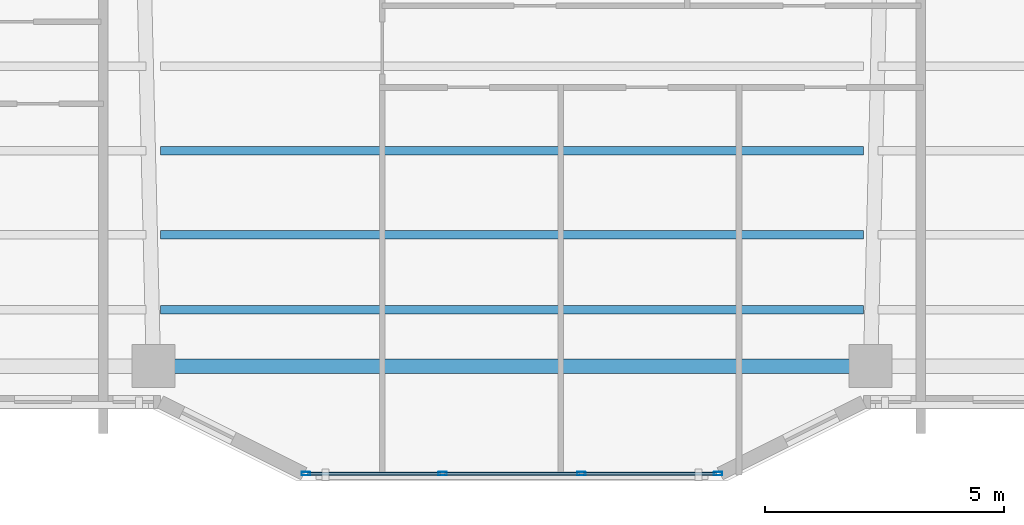
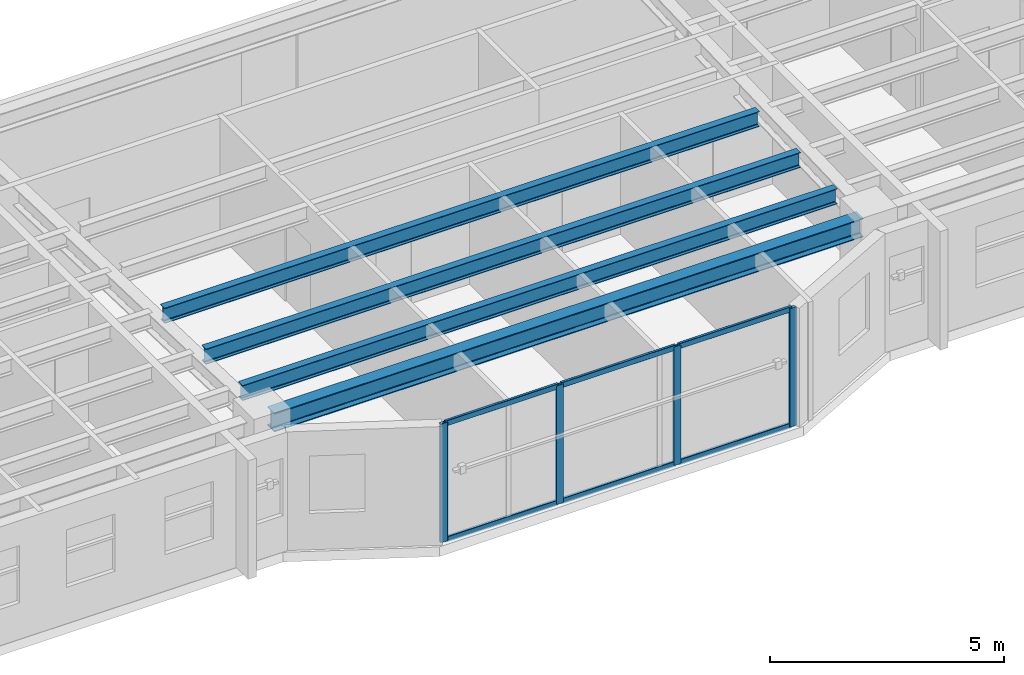
# One storey, part 2 of 16: 10 members, 4 beams, 1 element without a shape of its own.
"""IFC4 building model written with IfcOpenShell, lengths in metres."""

from ifc_helpers import new_model, si_unit, direction, frame, origin, origin_2d, place, context, subcontext, project, spatial, hollow_rectangle, i_section, extrude, material, layer, layer_set, material_profile, profile_set, type_object, element, aggregate, save


model = new_model("IFC4")

# Units and contexts
model_context = context("Model", 3, precision=1e-05, world=origin(), true_north=direction((0.0, 1.0)))
body_context = subcontext(model_context, "Body", "Model", "MODEL_VIEW")
ifc_project = project(units=[si_unit("LENGTHUNIT", "METRE"), si_unit("AREAUNIT", "SQUARE_METRE"), si_unit("VOLUMEUNIT", "CUBIC_METRE"), si_unit("PLANEANGLEUNIT", "RADIAN"), si_unit("MASSUNIT", "GRAM", prefix="KILO")], contexts=[model_context])

# Site, building, storey
site_placement = place(None, origin())
site = spatial("IfcSite", under=ifc_project, at=site_placement, CompositionType="ELEMENT")
building_placement = place(site_placement, origin())
building = spatial("IfcBuilding", under=site, at=building_placement, Name="Tarnavaz Court Tower", CompositionType="ELEMENT")
storey_placement = place(building_placement, frame((0.0, 0.0, 149.35009765625)))
storey = spatial("IfcBuildingStorey", under=building, at=storey_placement, Name="L40", CompositionType="ELEMENT", Elevation=149.35009765625)

# Beams
ifc_material_1 = material(Name="Steel S355", Category="steel")
ifc_material_profile_1 = material_profile(ifc_material_1, i_section(OverallWidth=0.179931640625, OverallDepth=0.39990234375, WebThickness=0.008544921875, FlangeThickness=0.013427734375, FilletRadius=0.02099609375, at=origin_2d()), Name="IPE 400")
ifc_profile_set_1 = profile_set([ifc_material_profile_1], Name="Steel S355")
beam_type_1 = type_object("IfcBeamType", Name="BM-J-IPE400", PredefinedType="JOIST", material=ifc_profile_set_1)
for number, where, z_axis, x_axis, name in (
    (1, (-7.35009765625, -15.89208984375, 2.89990234375), (1.0, 0.0, 0.0), (0.0, 1.0, 0.0), "L40 Beam JS3-2"),
    (2, (-7.35009765625, -17.656005859375, 2.89990234375), (1.0, 0.0, 0.0), (0.0, 1.0, 0.0), "L40 Beam JS4-2"),
    (3, (-7.35009765625, -19.22412109375, 2.89990234375), (1.0, 0.0, 0.0), (0.0, 1.0, 0.0), "L40 Beam JS5-2"),
):
    element("IfcBeam", number, at=place(storey_placement, frame(where, z_axis=z_axis, x_axis=x_axis)), inside=storey, type_object=beam_type_1, Name=name, PredefinedType="JOIST", context=body_context, shape_type="SweptSolid", body=[
        extrude(i_section(OverallWidth=0.179931640625, OverallDepth=0.39990234375, WebThickness=0.008544921875, FlangeThickness=0.013427734375, FilletRadius=0.02099609375, at=origin_2d()), origin(), (0.0, 0.0, 1.0), 14.7001953125),
    ])
ifc_material_profile_2 = material_profile(ifc_material_1, i_section(OverallWidth=0.300048828125, OverallDepth=0.489990234375, WebThickness=0.011962890625, FlangeThickness=0.02294921875, FilletRadius=0.027099609375, at=origin_2d()), Name="HEA 500")
ifc_profile_set_2 = profile_set([ifc_material_profile_2], Name="Steel S355")
beam_type_2 = type_object("IfcBeamType", Name="BM-SP-HEA500", PredefinedType="SPANDREL", material=ifc_profile_set_2)
beam_placement = place(storey_placement, frame((-7.280029296875, -20.39990234375, 2.85498046875), z_axis=(1.0, 0.0, 0.0), x_axis=(0.0, 1.0, 0.0)))
element("IfcBeam", 4, at=beam_placement, inside=storey, type_object=beam_type_2, Name="L40 Beam PR-PS-2-PS-3", PredefinedType="SPANDREL", context=body_context, shape_type="SweptSolid", body=[
    extrude(i_section(OverallWidth=0.300048828125, OverallDepth=0.489990234375, WebThickness=0.011962890625, FlangeThickness=0.02294921875, FilletRadius=0.027099609375, at=origin_2d()), origin(), (0.0, 0.0, 1.0), 14.56005859375),
])

# Curtain wall, members
ifc_material_2 = material(Name="Anodised Aluminium 6063-T6 and Solar Low-E Glazing", Category="aluminium")
ifc_layer = layer(ifc_material_2, 0.159912109375)
ifc_layer_set = layer_set([ifc_layer], Name="Anodised Aluminium 6063-T6 and Solar Low-E Glazing")
curtain_wall_type = type_object("IfcCurtainWallType", Name="CW-SYS-03", PredefinedType="NOTDEFINED", material=ifc_layer_set)
curtain_wall_placement = place(storey_placement, origin())
curtain_wall = element("IfcCurtainWall", 5, at=curtain_wall_placement, inside=storey, type_object=curtain_wall_type, Name="L40 Iwan Prow Curtain Wall 17", PredefinedType="NOTDEFINED")
ifc_material_3 = material(Name="Anodised Aluminium 6063-T6", Category="aluminium")
ifc_material_profile_3 = material_profile(ifc_material_3, hollow_rectangle(XDim=0.074951171875, YDim=0.179931640625, WallThickness=0.0048828125, InnerFilletRadius=0.0048828125, OuterFilletRadius=0.010009765625, at=origin_2d()), Name="ALU RHS 180X75X5")
ifc_profile_set_3 = profile_set([ifc_material_profile_3], Name="Anodised Aluminium 6063-T6")
member_type_1 = type_object("IfcMemberType", Name="CW-MUL-180", PredefinedType="MULLION", material=ifc_profile_set_3)
member_1_placement = place(storey_placement, frame((4.3125, -22.64990234375, 0.0), z_axis=(0.0, 0.0, 1.0), x_axis=(0.0, -1.0, 0.0)))
member_1 = element("IfcMember", 6, at=member_1_placement, type_object=member_type_1, Name="CW mullion 1", PredefinedType="MULLION", context=body_context, shape_type="SweptSolid", body=[
    extrude(hollow_rectangle(XDim=0.074951171875, YDim=0.179931640625, WallThickness=0.0048828125, InnerFilletRadius=0.0048828125, OuterFilletRadius=0.010009765625, at=origin_2d()), origin(), (0.0, 0.0, 1.0), 3.099853515625),
])
member_2_placement = place(storey_placement, frame((1.449951171875, -22.64990234375, 0.0), z_axis=(0.0, 0.0, 1.0), x_axis=(0.0, -1.0, 0.0)))
member_2 = element("IfcMember", 7, at=member_2_placement, type_object=member_type_1, Name="CW mullion 2", PredefinedType="MULLION", context=body_context, shape_type="SweptSolid", body=[
    extrude(hollow_rectangle(XDim=0.074951171875, YDim=0.179931640625, WallThickness=0.0048828125, InnerFilletRadius=0.0048828125, OuterFilletRadius=0.010009765625, at=origin_2d()), origin(), (0.0, 0.0, 1.0), 3.099853515625),
])
member_3_placement = place(storey_placement, frame((-1.449951171875, -22.64990234375, 0.0), z_axis=(0.0, 0.0, 1.0), x_axis=(0.0, -1.0, 0.0)))
member_3 = element("IfcMember", 8, at=member_3_placement, type_object=member_type_1, Name="CW mullion 3", PredefinedType="MULLION", context=body_context, shape_type="SweptSolid", body=[
    extrude(hollow_rectangle(XDim=0.074951171875, YDim=0.179931640625, WallThickness=0.0048828125, InnerFilletRadius=0.0048828125, OuterFilletRadius=0.010009765625, at=origin_2d()), origin(), (0.0, 0.0, 1.0), 3.099853515625),
])
member_4_placement = place(storey_placement, frame((-4.3125, -22.64990234375, 0.0), z_axis=(0.0, 0.0, 1.0), x_axis=(0.0, -1.0, 0.0)))
member_4 = element("IfcMember", 9, at=member_4_placement, type_object=member_type_1, Name="CW mullion 4", PredefinedType="MULLION", context=body_context, shape_type="SweptSolid", body=[
    extrude(hollow_rectangle(XDim=0.074951171875, YDim=0.179931640625, WallThickness=0.0048828125, InnerFilletRadius=0.0048828125, OuterFilletRadius=0.010009765625, at=origin_2d()), origin(), (0.0, 0.0, 1.0), 3.099853515625),
])
ifc_material_profile_4 = material_profile(ifc_material_3, hollow_rectangle(XDim=0.06494140625, YDim=0.139892578125, WallThickness=0.00390625, InnerFilletRadius=0.00390625, OuterFilletRadius=0.008056640625, at=origin_2d()), Name="ALU RHS 140X65X4")
ifc_profile_set_4 = profile_set([ifc_material_profile_4], Name="Anodised Aluminium 6063-T6")
member_type_2 = type_object("IfcMemberType", Name="CW-TRN-140", PredefinedType="USERDEFINED", material=ifc_profile_set_4)
member_5_placement = place(storey_placement, frame((4.27490234375, -22.64990234375, 0.032470703125), z_axis=(-1.0, 0.0, 0.0), x_axis=(0.0, -1.0, 0.0)))
member_5 = element("IfcMember", 10, at=member_5_placement, type_object=member_type_2, Name="CW transom 1.1", ObjectType="TRANSOM", PredefinedType="USERDEFINED", context=body_context, shape_type="SweptSolid", body=[
    extrude(hollow_rectangle(XDim=0.06494140625, YDim=0.139892578125, WallThickness=0.00390625, InnerFilletRadius=0.00390625, OuterFilletRadius=0.008056640625, at=origin_2d()), origin(), (0.0, 0.0, 1.0), 2.787353515625),
])
member_6_placement = place(storey_placement, frame((4.27490234375, -22.64990234375, 3.0673828125), z_axis=(-1.0, 0.0, 0.0), x_axis=(0.0, -1.0, 0.0)))
member_6 = element("IfcMember", 11, at=member_6_placement, type_object=member_type_2, Name="CW transom 1.2", ObjectType="TRANSOM", PredefinedType="USERDEFINED", context=body_context, shape_type="SweptSolid", body=[
    extrude(hollow_rectangle(XDim=0.06494140625, YDim=0.139892578125, WallThickness=0.00390625, InnerFilletRadius=0.00390625, OuterFilletRadius=0.008056640625, at=origin_2d()), origin(), (0.0, 0.0, 1.0), 2.787353515625),
])
member_7_placement = place(storey_placement, frame((1.41259765625, -22.64990234375, 0.032470703125), z_axis=(-1.0, 0.0, 0.0), x_axis=(0.0, -1.0, 0.0)))
member_7 = element("IfcMember", 12, at=member_7_placement, type_object=member_type_2, Name="CW transom 2.1", ObjectType="TRANSOM", PredefinedType="USERDEFINED", context=body_context, shape_type="SweptSolid", body=[
    extrude(hollow_rectangle(XDim=0.06494140625, YDim=0.139892578125, WallThickness=0.00390625, InnerFilletRadius=0.00390625, OuterFilletRadius=0.008056640625, at=origin_2d()), origin(), (0.0, 0.0, 1.0), 2.8251953125),
])
member_8_placement = place(storey_placement, frame((1.41259765625, -22.64990234375, 3.0673828125), z_axis=(-1.0, 0.0, 0.0), x_axis=(0.0, -1.0, 0.0)))
member_8 = element("IfcMember", 13, at=member_8_placement, type_object=member_type_2, Name="CW transom 2.2", ObjectType="TRANSOM", PredefinedType="USERDEFINED", context=body_context, shape_type="SweptSolid", body=[
    extrude(hollow_rectangle(XDim=0.06494140625, YDim=0.139892578125, WallThickness=0.00390625, InnerFilletRadius=0.00390625, OuterFilletRadius=0.008056640625, at=origin_2d()), origin(), (0.0, 0.0, 1.0), 2.8251953125),
])
member_9_placement = place(storey_placement, frame((-1.487548828125, -22.64990234375, 0.032470703125), z_axis=(-1.0, 0.0, 0.0), x_axis=(0.0, -1.0, 0.0)))
member_9 = element("IfcMember", 14, at=member_9_placement, type_object=member_type_2, Name="CW transom 3.1", ObjectType="TRANSOM", PredefinedType="USERDEFINED", context=body_context, shape_type="SweptSolid", body=[
    extrude(hollow_rectangle(XDim=0.06494140625, YDim=0.139892578125, WallThickness=0.00390625, InnerFilletRadius=0.00390625, OuterFilletRadius=0.008056640625, at=origin_2d()), origin(), (0.0, 0.0, 1.0), 2.787353515625),
])
member_10_placement = place(storey_placement, frame((-1.487548828125, -22.64990234375, 3.0673828125), z_axis=(-1.0, 0.0, 0.0), x_axis=(0.0, -1.0, 0.0)))
member_10 = element("IfcMember", 15, at=member_10_placement, type_object=member_type_2, Name="CW transom 3.2", ObjectType="TRANSOM", PredefinedType="USERDEFINED", context=body_context, shape_type="SweptSolid", body=[
    extrude(hollow_rectangle(XDim=0.06494140625, YDim=0.139892578125, WallThickness=0.00390625, InnerFilletRadius=0.00390625, OuterFilletRadius=0.008056640625, at=origin_2d()), origin(), (0.0, 0.0, 1.0), 2.787353515625),
])
aggregate(curtain_wall, [member_1, member_2, member_3, member_4, member_5, member_6, member_7, member_8, member_9, member_10])

save(model, "model.ifc")
